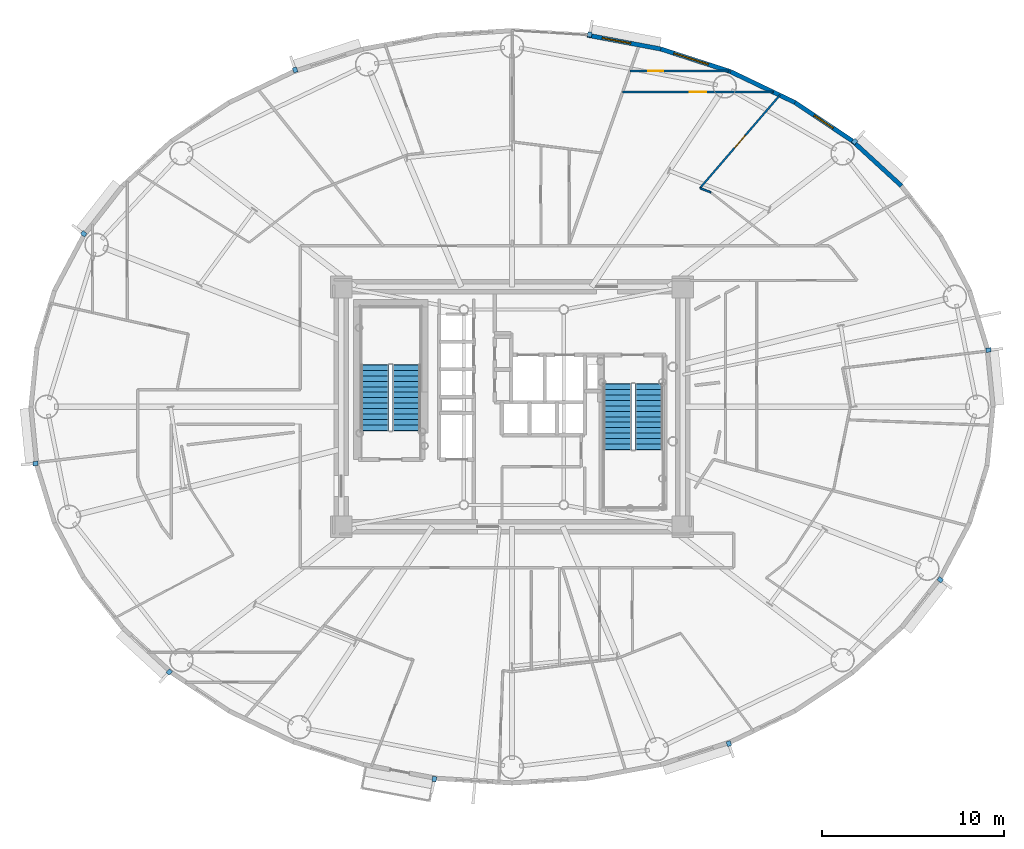
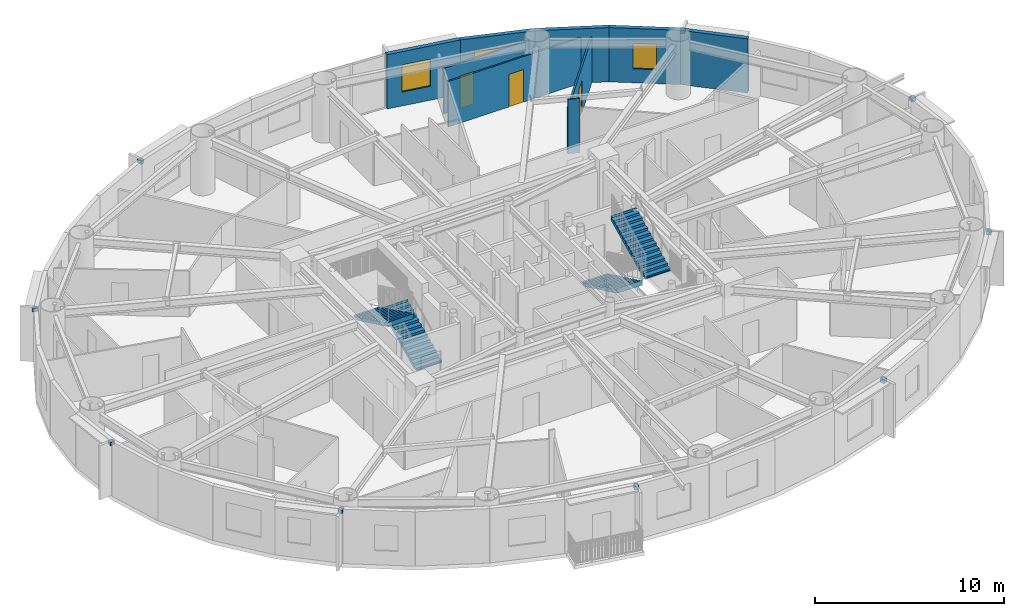
# One storey, part 13 of 19: 10 discrete accessories, 9 walls, 4 stair flights, 3 doors, 3 windows, 6 openings, 2 elements without a shape of their own.
"""IFC4 building model written with IfcOpenShell, lengths in metres."""

from ifc_helpers import new_model, si_unit, direction, frame, frame_2d, origin, origin_2d, place, context, subcontext, project, spatial, polyline, rectangle, outline, extrude, source, transform, mapped, material, layer, layer_set, type_object, element, fill, aggregate, save


model = new_model("IFC4")

# Units and contexts
model_context = context("Model", 3, precision=1e-05, world=origin(), true_north=direction((0.0, 1.0)))
body_context = subcontext(model_context, "Body", "Model", "MODEL_VIEW")
ifc_project = project(units=[si_unit("LENGTHUNIT", "METRE"), si_unit("AREAUNIT", "SQUARE_METRE"), si_unit("VOLUMEUNIT", "CUBIC_METRE"), si_unit("PLANEANGLEUNIT", "RADIAN"), si_unit("MASSUNIT", "GRAM", prefix="KILO")], contexts=[model_context])

# Site, building, storey
site_placement = place(None, origin())
site = spatial("IfcSite", under=ifc_project, at=site_placement, CompositionType="ELEMENT")
building_placement = place(site_placement, origin())
building = spatial("IfcBuilding", under=site, at=building_placement, Name="Linh Dai School and Residence Tower", CompositionType="ELEMENT")
storey_placement = place(building_placement, frame((0.0, 0.0, 174.89990234375)))
storey = spatial("IfcBuildingStorey", under=building, at=storey_placement, Name="L42", CompositionType="ELEMENT", Elevation=174.89990234375)

# Wall
ifc_material_1 = material(Name="Precast Concrete B45 (C35/45)", Category="concrete")
ifc_layer_1 = layer(ifc_material_1, 0.239990234375)
ifc_layer_set_1 = layer_set([ifc_layer_1], Name="Precast Concrete B45 (C35/45)")
wall_type_1 = type_object("IfcWallType", Name="EW-TC-240", PredefinedType="SOLIDWALL", material=ifc_layer_set_1)
wall_1_placement = place(storey_placement, frame((54.73193359375, 41.630615234375, 0.0), z_axis=(0.0, 0.0, 1.0), x_axis=(0.737076565834, -0.675809245349, 0.0)))
element("IfcWall", 1, at=wall_1_placement, inside=storey, type_object=wall_type_1, Name="L42 Terracotta Exterior Wall 05", PredefinedType="SOLIDWALL", context=body_context, shape_type="SweptSolid", body=[
    extrude(rectangle(XDim=3.658203125, YDim=0.239990234375, at=frame_2d((1.8291015625, 0.0))), origin(), (0.0, 0.0, 1.0), 3.5),
])

# Wall, opening, window
wall_2_placement = place(storey_placement, frame((51.5732421875, 43.7431640625, 0.0), z_axis=(0.0, 0.0, 1.0), x_axis=(0.831228998277, -0.555930168657, 0.0)))
wall_2 = element("IfcWall", 2, at=wall_2_placement, inside=storey, type_object=wall_type_1, Name="L42 Terracotta Exterior Wall 06", PredefinedType="SOLIDWALL", context=body_context, shape_type="SweptSolid", body=[
    extrude(rectangle(XDim=3.800048828125, YDim=0.239990234375, at=frame_2d((1.89990234375, 0.0))), origin(), (0.0, 0.0, 1.0), 3.5),
])
opening_1_placement = place(wall_2_placement, frame((1.27490234375, 0.0, 0.89990234375)))
opening_1 = element("IfcOpeningElement", 3, at=opening_1_placement, cuts=wall_2, Name="Opening W3", PredefinedType="OPENING", context=body_context, shape_type="SweptSolid", body=[
    extrude(rectangle(XDim=1.25, YDim=1.64990234375, at=origin_2d()), frame((0.625, 0.1298828125, 0.824951171875), z_axis=(0.0, -1.0, 0.0), x_axis=(1.0, 0.0, 0.0)), (0.0, 0.0, 1.0), 0.260009765625),
])
ifc_material_2 = material(Name="Double Low-E Insulated Glazing", Category="glass")
window_type_1 = type_object("IfcWindowType", Name="WN-RES-1250x1650", PartitioningType="SINGLE_PANEL", PredefinedType="WINDOW", material=ifc_material_2)
shared_shape_1 = source(origin(), body_context, "Body", "SweptSolid", [
    extrude(rectangle(XDim=1.25, YDim=1.64990234375, at=origin_2d()), frame((0.625, 0.030029296875, 0.824951171875), z_axis=(0.0, -1.0, 0.0), x_axis=(1.0, 0.0, 0.0)), (0.0, 0.0, 1.0), 0.06005859375),
])
window_1_placement = place(opening_1_placement, origin())
window_1 = element("IfcWindow", 4, at=window_1_placement, inside=storey, type_object=window_type_1, Name="L42 Dwelling Window U4201-BD1", OverallHeight=1.64990234375, OverallWidth=1.25, PartitioningType="SINGLE_PANEL", PredefinedType="WINDOW", context=body_context, shape_type="MappedRepresentation", body=[
    mapped(shared_shape_1, transform((0.0, 0.0, 0.0), x_axis=(1.0, 0.0, 0.0), y_axis=(0.0, 1.0, 0.0), z_axis=(0.0, 0.0, 1.0), scale=1.0)),
])
fill(opening_1, window_1)

# Wall
wall_3_placement = place(storey_placement, frame((48.02978515625, 45.443603515625, 0.0), z_axis=(0.0, 0.0, 1.0), x_axis=(0.901564733809, -0.432644231155, 0.0)))
element("IfcWall", 5, at=wall_3_placement, inside=storey, type_object=wall_type_1, Name="L42 Terracotta Exterior Wall 07", PredefinedType="SOLIDWALL", context=body_context, shape_type="SweptSolid", body=[
    extrude(rectangle(XDim=3.930419921875, YDim=0.239990234375, at=frame_2d((1.96533203125, 0.0))), origin(), (0.0, 0.0, 1.0), 3.5),
])

# Wall, opening, window
wall_4_placement = place(storey_placement, frame((44.18896484375, 46.689453125, 0.0), z_axis=(0.0, 0.0, 1.0), x_axis=(0.951209870236, -0.30854462038, 0.0)))
wall_4 = element("IfcWall", 6, at=wall_4_placement, inside=storey, type_object=wall_type_1, Name="L42 Terracotta Exterior Wall 08", PredefinedType="SOLIDWALL", context=body_context, shape_type="SweptSolid", body=[
    extrude(rectangle(XDim=4.037841796875, YDim=0.239990234375, at=frame_2d((2.01904296875, 0.0))), origin(), (0.0, 0.0, 1.0), 3.5),
])
opening_2_placement = place(wall_4_placement, frame((0.7529296875, 0.0, 0.89990234375)))
opening_2 = element("IfcOpeningElement", 7, at=opening_2_placement, cuts=wall_4, Name="Opening W1", PredefinedType="OPENING", context=body_context, shape_type="SweptSolid", body=[
    extrude(rectangle(XDim=2.0, YDim=1.75, at=origin_2d()), frame((1.0, 0.1298828125, 0.875), z_axis=(0.0, -1.0, 0.0), x_axis=(1.0, 0.0, 0.0)), (0.0, 0.0, 1.0), 0.260009765625),
])
window_type_2 = type_object("IfcWindowType", Name="WN-RES-2000x1750", PartitioningType="DOUBLE_PANEL_VERTICAL", PredefinedType="WINDOW", material=ifc_material_2)
shared_shape_2 = source(origin(), body_context, "Body", "SweptSolid", [
    extrude(rectangle(XDim=2.0, YDim=1.75, at=origin_2d()), frame((1.0, 0.030029296875, 0.875), z_axis=(0.0, -1.0, 0.0), x_axis=(1.0, 0.0, 0.0)), (0.0, 0.0, 1.0), 0.06005859375),
])
window_2_placement = place(opening_2_placement, origin())
window_2 = element("IfcWindow", 8, at=window_2_placement, inside=storey, type_object=window_type_2, Name="L42 Exterior Window 08.1", OverallHeight=1.75, OverallWidth=2.0, PartitioningType="DOUBLE_PANEL_VERTICAL", PredefinedType="WINDOW", context=body_context, shape_type="MappedRepresentation", body=[
    mapped(shared_shape_2, transform((0.0, 0.0, 0.0), x_axis=(1.0, 0.0, 0.0), y_axis=(0.0, 1.0, 0.0), z_axis=(0.0, 0.0, 1.0), scale=1.0)),
])
fill(opening_2, window_2)

wall_5_placement = place(storey_placement, frame((40.145751953125, 47.449462890625, 0.0), z_axis=(0.0, 0.0, 1.0), x_axis=(0.982788108205, -0.184736391573, 0.0)))
wall_5 = element("IfcWall", 9, at=wall_5_placement, inside=storey, type_object=wall_type_1, Name="L42 Terracotta Exterior Wall 09", PredefinedType="SOLIDWALL", context=body_context, shape_type="SweptSolid", body=[
    extrude(rectangle(XDim=4.114013671875, YDim=0.239990234375, at=frame_2d((2.05712890625, 0.0))), origin(), (0.0, 0.0, 1.0), 3.5),
])
opening_3_placement = place(wall_5_placement, frame((0.83642578125, 0.0, 0.89990234375)))
opening_3 = element("IfcOpeningElement", 10, at=opening_3_placement, cuts=wall_5, Name="Opening W2", PredefinedType="OPENING", context=body_context, shape_type="SweptSolid", body=[
    extrude(rectangle(XDim=1.60009765625, YDim=1.75, at=origin_2d()), frame((0.800048828125, 0.1298828125, 0.875), z_axis=(0.0, -1.0, 0.0), x_axis=(1.0, 0.0, 0.0)), (0.0, 0.0, 1.0), 0.260009765625),
])
window_type_3 = type_object("IfcWindowType", Name="WN-RES-1600x1750", PartitioningType="DOUBLE_PANEL_VERTICAL", PredefinedType="WINDOW", material=ifc_material_2)
shared_shape_3 = source(origin(), body_context, "Body", "SweptSolid", [
    extrude(rectangle(XDim=1.60009765625, YDim=1.75, at=origin_2d()), frame((0.800048828125, 0.030029296875, 0.875), z_axis=(0.0, -1.0, 0.0), x_axis=(1.0, 0.0, 0.0)), (0.0, 0.0, 1.0), 0.06005859375),
])
window_3_placement = place(opening_3_placement, origin())
window_3 = element("IfcWindow", 11, at=window_3_placement, inside=storey, type_object=window_type_3, Name="L42 Exterior Window 09.1", OverallHeight=1.75, OverallWidth=1.60009765625, PartitioningType="DOUBLE_PANEL_VERTICAL", PredefinedType="WINDOW", context=body_context, shape_type="MappedRepresentation", body=[
    mapped(shared_shape_3, transform((0.0, 0.0, 0.0), x_axis=(1.0, 0.0, 0.0), y_axis=(0.0, 1.0, 0.0), z_axis=(0.0, 0.0, 1.0), scale=1.0)),
])
fill(opening_3, window_3)

# Wall, opening, door
ifc_material_3 = material(Name="Gypsum Plasterboard Acoustic Stud Partition", Category="masonry")
ifc_layer_2 = layer(ifc_material_3, 0.10009765625)
ifc_layer_set_2 = layer_set([ifc_layer_2], Name="Gypsum Plasterboard Acoustic Stud Partition")
wall_type_2 = type_object("IfcWallType", Name="IW-UNIT-100", PredefinedType="PARTITIONING", material=ifc_layer_set_2)
wall_6_placement = place(storey_placement, frame((42.09033203125, 44.324951171875, 0.0), z_axis=(0.0, 0.0, 1.0), x_axis=(1.0, 0.0, 0.0)))
wall_6 = element("IfcWall", 12, at=wall_6_placement, inside=storey, type_object=wall_type_2, Name="L42 Interior Partition Wall 075", PredefinedType="PARTITIONING", context=body_context, shape_type="SweptSolid", body=[
    extrude(rectangle(XDim=8.2822265625, YDim=0.10009765625, at=frame_2d((4.14111328125, 0.0))), origin(), (0.0, 0.0, 1.0), 2.93505859375),
])
opening_4_placement = place(wall_6_placement, frame((3.691162109375, 0.0, 0.0)))
opening_4 = element("IfcOpeningElement", 13, at=opening_4_placement, cuts=wall_6, Name="Opening D05", PredefinedType="OPENING", context=body_context, shape_type="SweptSolid", body=[
    extrude(rectangle(XDim=0.89990234375, YDim=2.10009765625, at=origin_2d()), frame((0.449951171875, 0.06005859375, 1.050048828125), z_axis=(0.0, -1.0, 0.0), x_axis=(1.0, 0.0, 0.0)), (0.0, 0.0, 1.0), 0.1201171875),
])
ifc_material_4 = material(Name="Engineered Timber Internal Door", Category="wood")
door_type_1 = type_object("IfcDoorType", Name="DR-INT-900x2100", OperationType="NOTDEFINED", PredefinedType="DOOR", material=ifc_material_4)
shared_shape_4 = source(origin(), body_context, "Body", "SweptSolid", [
    extrude(rectangle(XDim=0.89990234375, YDim=2.10009765625, at=origin_2d()), frame((0.449951171875, 0.02490234375, 1.050048828125), z_axis=(0.0, -1.0, 0.0), x_axis=(1.0, 0.0, 0.0)), (0.0, 0.0, 1.0), 0.050048828125),
])
door_1_placement = place(opening_4_placement, origin())
door_1 = element("IfcDoor", 14, at=door_1_placement, inside=storey, type_object=door_type_1, Name="L42 Apartment U4201 Kitchen Door", OperationType="SINGLE_SWING_RIGHT", OverallHeight=2.10009765625, OverallWidth=0.89990234375, PredefinedType="DOOR", context=body_context, shape_type="MappedRepresentation", body=[
    mapped(shared_shape_4, transform((0.0, 0.0, 0.0), x_axis=(1.0, 0.0, 0.0), y_axis=(0.0, 1.0, 0.0), z_axis=(0.0, 0.0, 1.0), scale=1.0)),
])
fill(opening_4, door_1)

wall_7_placement = place(storey_placement, frame((42.49658203125, 45.48046875, 0.0), z_axis=(0.0, 0.0, 1.0), x_axis=(1.0, 0.0, 0.0)))
wall_7 = element("IfcWall", 15, at=wall_7_placement, inside=storey, type_object=wall_type_2, Name="L42 Interior Partition Wall 076", PredefinedType="PARTITIONING", context=body_context, shape_type="SweptSolid", body=[
    extrude(rectangle(XDim=5.435302734375, YDim=0.10009765625, at=frame_2d((2.7177734375, 0.0))), origin(), (0.0, 0.0, 1.0), 2.93505859375),
])
opening_5_placement = place(wall_7_placement, frame((0.9951171875, 0.0, 0.0)))
opening_5 = element("IfcOpeningElement", 16, at=opening_5_placement, cuts=wall_7, Name="Opening D06", PredefinedType="OPENING", context=body_context, shape_type="SweptSolid", body=[
    extrude(rectangle(XDim=0.820068359375, YDim=2.10009765625, at=origin_2d()), frame((0.41015625, 0.06005859375, 1.050048828125), z_axis=(0.0, -1.0, 0.0), x_axis=(1.0, 0.0, 0.0)), (0.0, 0.0, 1.0), 0.1201171875),
])
ifc_material_5 = material(Name="Moisture-Resistant Timber Bathroom Door", Category="wood")
door_type_2 = type_object("IfcDoorType", Name="DR-WET-820x2100", OperationType="NOTDEFINED", PredefinedType="DOOR", material=ifc_material_5)
shared_shape_5 = source(origin(), body_context, "Body", "SweptSolid", [
    extrude(rectangle(XDim=0.820068359375, YDim=2.10009765625, at=origin_2d()), frame((0.41015625, 0.02490234375, 1.050048828125), z_axis=(0.0, -1.0, 0.0), x_axis=(1.0, 0.0, 0.0)), (0.0, 0.0, 1.0), 0.050048828125),
])
door_2_placement = place(opening_5_placement, origin())
door_2 = element("IfcDoor", 17, at=door_2_placement, inside=storey, type_object=door_type_2, Name="L42 Apartment U4201 Bathroom 1 Door", OperationType="SINGLE_SWING_LEFT", OverallHeight=2.10009765625, OverallWidth=0.820068359375, PredefinedType="DOOR", context=body_context, shape_type="MappedRepresentation", body=[
    mapped(shared_shape_5, transform((0.0, 0.0, 0.0), x_axis=(1.0, 0.0, 0.0), y_axis=(0.0, 1.0, 0.0), z_axis=(0.0, 0.0, 1.0), scale=1.0)),
])
fill(opening_5, door_2)

# Wall
wall_8_placement = place(storey_placement, frame((46.345947265625, 39.03515625, 0.0), z_axis=(0.0, 0.0, 1.0), x_axis=(0.928841988182, -0.370476127423, 0.0)))
element("IfcWall", 18, at=wall_8_placement, inside=storey, type_object=wall_type_2, Name="L42 Interior Partition Wall 081", PredefinedType="PARTITIONING", context=body_context, shape_type="SweptSolid", body=[
    extrude(rectangle(XDim=0.64453125, YDim=0.10009765625, at=frame_2d((0.322265625, 0.0))), origin(), (0.0, 0.0, 1.0), 3.5),
])

# Wall, opening, door
wall_9_placement = place(storey_placement, frame((46.345947265625, 39.03515625, 0.0), z_axis=(0.0, 0.0, 1.0), x_axis=(0.651891052095, 0.758312637504, 0.0)))
wall_9 = element("IfcWall", 19, at=wall_9_placement, inside=storey, type_object=wall_type_2, Name="L42 Interior Partition Wall 082", PredefinedType="PARTITIONING", context=body_context, shape_type="SweptSolid", body=[
    extrude(rectangle(XDim=6.742431640625, YDim=0.10009765625, at=frame_2d((3.37109375, 0.0))), origin(), (0.0, 0.0, 1.0), 2.93505859375),
])
opening_6_placement = place(wall_9_placement, frame((2.921142578125, 0.0, 0.0)))
opening_6 = element("IfcOpeningElement", 20, at=opening_6_placement, cuts=wall_9, Name="Opening D05", PredefinedType="OPENING", context=body_context, shape_type="SweptSolid", body=[
    extrude(rectangle(XDim=0.89990234375, YDim=2.10009765625, at=origin_2d()), frame((0.449951171875, 0.06005859375, 1.050048828125), z_axis=(0.0, -1.0, 0.0), x_axis=(1.0, 0.0, 0.0)), (0.0, 0.0, 1.0), 0.1201171875),
])
door_3_placement = place(opening_6_placement, origin())
door_3 = element("IfcDoor", 21, at=door_3_placement, inside=storey, type_object=door_type_1, Name="L42 Apartment U4201 Principal Bedroom 1 Door", OperationType="SINGLE_SWING_LEFT", OverallHeight=2.10009765625, OverallWidth=0.89990234375, PredefinedType="DOOR", context=body_context, shape_type="MappedRepresentation", body=[
    mapped(shared_shape_4, transform((0.0, 0.0, 0.0), x_axis=(1.0, 0.0, 0.0), y_axis=(0.0, 1.0, 0.0), z_axis=(0.0, 0.0, 1.0), scale=1.0)),
])
fill(opening_6, door_3)

# Stair, stair flights
ifc_material_6 = material(Name="Concrete B45 (C35/45)", Category="concrete")
stair_type = type_object("IfcStairType", Name="ST-DOG-1550-R1442", PredefinedType="HALF_TURN_STAIR", material=ifc_material_6)
stair_1_placement = place(storey_placement, origin())
stair_1 = element("IfcStair", 22, at=stair_1_placement, inside=storey, type_object=stair_type, Name="L42 Core Smokeproof Exit Stair ST1", PredefinedType="HALF_TURN_STAIR")
stair_flight_type = type_object("IfcStairFlightType", Name="STF-STR-1550-R1442", PredefinedType="STRAIGHT", material=ifc_material_6)
shared_shape_6 = source(origin(), body_context, "Body", "SweptSolid", [
    extrude(outline(polyline([(-0.02490234375, 0.0), (-0.02490234375, 0.06005859375), (0.0, 0.06005859375), (0.0, 0.144287109375), (0.300048828125, 0.144287109375), (0.300048828125, 0.28857421875), (0.60009765625, 0.28857421875), (0.60009765625, 0.4326171875), (0.89990234375, 0.4326171875), (0.89990234375, 0.576904296875), (1.199951171875, 0.576904296875), (1.199951171875, 0.72119140625), (1.5, 0.72119140625), (1.5, 0.865478515625), (1.800048828125, 0.865478515625), (1.800048828125, 1.009521484375), (2.10009765625, 1.009521484375), (2.10009765625, 1.15380859375), (2.39990234375, 1.15380859375), (2.39990234375, 1.298095703125), (2.699951171875, 1.298095703125), (2.699951171875, 1.4423828125), (3.0, 1.4423828125), (3.0, 1.58642578125), (3.300048828125, 1.58642578125), (3.300048828125, 1.730712890625), (3.60009765625, 1.730712890625), (3.60009765625, 1.875), (3.625, 1.875), (3.625, 1.564453125), (3.60009765625, 1.564453125), (0.345947265625, 0.0), (-0.02490234375, 0.0)])), frame((0.0, 0.77490234375, 0.0), z_axis=(0.0, -1.0, 0.0), x_axis=(1.0, 0.0, 0.0)), (0.0, 0.0, 1.0), 1.550048828125),
])
stair_flight_1_placement = place(storey_placement, frame((30.205078125, 25.699951171875, 0.0), z_axis=(0.0, 0.0, 1.0), x_axis=(0.0, 1.0, 0.0)))
stair_flight_1 = element("IfcStairFlight", 23, at=stair_flight_1_placement, type_object=stair_flight_type, Name="ST1 flight 1", NumberOfRisers=13, NumberOfTreads=12, PredefinedType="STRAIGHT", RiserHeight=0.144230769, TreadLength=0.3, context=body_context, shape_type="MappedRepresentation", body=[
    mapped(shared_shape_6, transform((0.0, 0.0, 0.0), x_axis=(1.0, 0.0, 0.0), y_axis=(0.0, 1.0, 0.0), z_axis=(0.0, 0.0, 1.0), scale=1.0)),
])
stair_flight_2_placement = place(storey_placement, frame((28.455078125, 29.300048828125, 1.875), z_axis=(0.0, 0.0, 1.0), x_axis=(0.0, -1.0, 0.0)))
stair_flight_2 = element("IfcStairFlight", 24, at=stair_flight_2_placement, type_object=stair_flight_type, Name="ST1 flight 2", NumberOfRisers=13, NumberOfTreads=12, PredefinedType="STRAIGHT", RiserHeight=0.144230769, TreadLength=0.3, context=body_context, shape_type="MappedRepresentation", body=[
    mapped(shared_shape_6, transform((0.0, 0.0, 0.0), x_axis=(1.0, 0.0, 0.0), y_axis=(0.0, 1.0, 0.0), z_axis=(0.0, 0.0, 1.0), scale=1.0)),
])
aggregate(stair_1, [stair_flight_1, stair_flight_2])

stair_2_placement = place(storey_placement, origin())
stair_2 = element("IfcStair", 25, at=stair_2_placement, inside=storey, type_object=stair_type, Name="L42 Core Smokeproof Exit Stair ST2", PredefinedType="HALF_TURN_STAIR")
stair_flight_3_placement = place(storey_placement, frame((41.794921875, 28.25, 0.0), z_axis=(0.0, 0.0, 1.0), x_axis=(0.0, -1.0, 0.0)))
stair_flight_3 = element("IfcStairFlight", 26, at=stair_flight_3_placement, type_object=stair_flight_type, Name="ST2 flight 1", NumberOfRisers=13, NumberOfTreads=12, PredefinedType="STRAIGHT", RiserHeight=0.144230769, TreadLength=0.3, context=body_context, shape_type="MappedRepresentation", body=[
    mapped(shared_shape_6, transform((0.0, 0.0, 0.0), x_axis=(1.0, 0.0, 0.0), y_axis=(0.0, 1.0, 0.0), z_axis=(0.0, 0.0, 1.0), scale=1.0)),
])
stair_flight_4_placement = place(storey_placement, frame((43.544921875, 24.64990234375, 1.875), z_axis=(0.0, 0.0, 1.0), x_axis=(0.0, 1.0, 0.0)))
stair_flight_4 = element("IfcStairFlight", 27, at=stair_flight_4_placement, type_object=stair_flight_type, Name="ST2 flight 2", NumberOfRisers=13, NumberOfTreads=12, PredefinedType="STRAIGHT", RiserHeight=0.144230769, TreadLength=0.3, context=body_context, shape_type="MappedRepresentation", body=[
    mapped(shared_shape_6, transform((0.0, 0.0, 0.0), x_axis=(1.0, 0.0, 0.0), y_axis=(0.0, 1.0, 0.0), z_axis=(0.0, 0.0, 1.0), scale=1.0)),
])
aggregate(stair_2, [stair_flight_3, stair_flight_4])

# Discrete accessories
ifc_material_7 = material(Name="Structural Steel S355JR", Category="steel")
discrete_accessory_type = type_object("IfcDiscreteAccessoryType", Name="ACC-BRK-S355", PredefinedType="BRACKET", material=ifc_material_7)
shared_shape_7 = source(origin(), body_context, "Body", "SweptSolid", [
    extrude(rectangle(XDim=0.280029296875, YDim=0.239990234375, at=origin_2d()), origin(), (0.0, 0.0, 1.0), 0.219970703125),
])
for number, where, z_axis, x_axis, name in (
    (28, (62.2216796875, 30.120361328125, 3.25), (0.0, 0.0, 1.0), (0.994987256586, 0.100001796141, 0.0), "L42 Facade Frame Anchor Bracket 01"),
    (29, (54.861083984375, 41.59375, 3.25), (0.0, 0.0, 1.0), (0.67580001435, 0.737085029426, 0.0), "L42 Facade Frame Anchor Bracket 05"),
    (30, (40.27490234375, 47.486328125, 3.25), (0.0, 0.0, 1.0), (0.184762540184, 0.982783192645, 0.0), "L42 Facade Frame Anchor Bracket 09"),
    (31, (24.06591796875, 45.53759765625, 3.25), (0.0, 0.0, 1.0), (-0.308535707031, 0.951212761419, 0.0), "L42 Facade Frame Anchor Bracket 13"),
    (32, (12.4306640625, 36.52001953125, 3.25), (0.0, 0.0, 1.0), (-0.787522158319, 0.616286337798, 0.0), "L42 Facade Frame Anchor Bracket 17"),
    (33, (9.7783203125, 23.879638671875, 3.25), (0.0, 0.0, 1.0), (-0.994987256586, -0.100001796141, 0.0), "L42 Facade Frame Anchor Bracket 21"),
    (34, (17.138916015625, 12.40625, 3.25), (0.0, 0.0, 1.0), (-0.67580001435, -0.737085029426, 0.0), "L42 Facade Frame Anchor Bracket 25"),
    (35, (31.72509765625, 6.513671875, 3.25), (0.0, 0.0, 1.0), (-0.184762540184, -0.982783192645, 0.0), "L42 Facade Frame Anchor Bracket 29"),
    (36, (47.93408203125, 8.46240234375, 3.25), (0.0, 0.0, 1.0), (0.308535707031, -0.951212761419, 0.0), "L42 Facade Frame Anchor Bracket 33"),
    (37, (59.5693359375, 17.47998046875, 3.25), (0.0, 0.0, 1.0), (0.787522158319, -0.616286337798, 0.0), "L42 Facade Frame Anchor Bracket 37"),
):
    element("IfcDiscreteAccessory", number, at=place(storey_placement, frame(where, z_axis=z_axis, x_axis=x_axis)), inside=storey, type_object=discrete_accessory_type, Name=name, PredefinedType="BRACKET", context=body_context, shape_type="MappedRepresentation", body=[
        mapped(shared_shape_7, transform((0.0, 0.0, 0.0), x_axis=(1.0, 0.0, 0.0), y_axis=(0.0, 1.0, 0.0), z_axis=(0.0, 0.0, 1.0), scale=1.0)),
    ])

save(model, "model.ifc")
